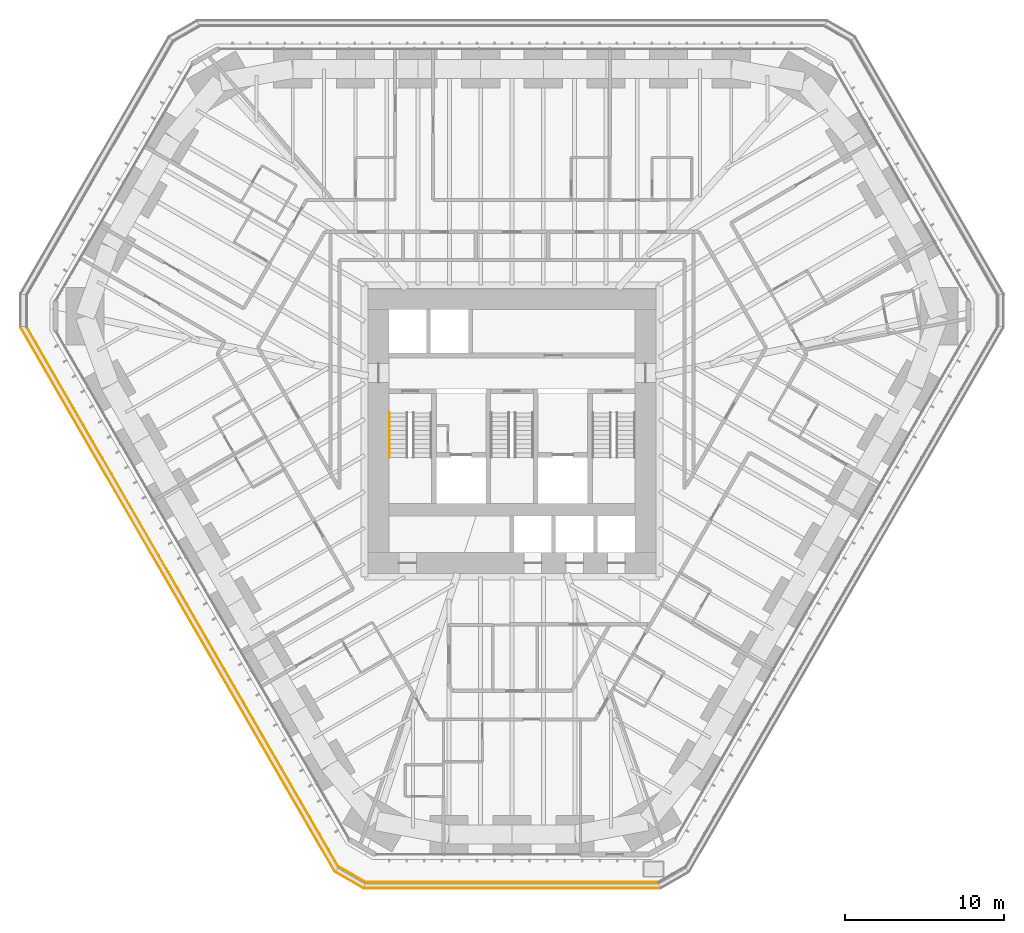
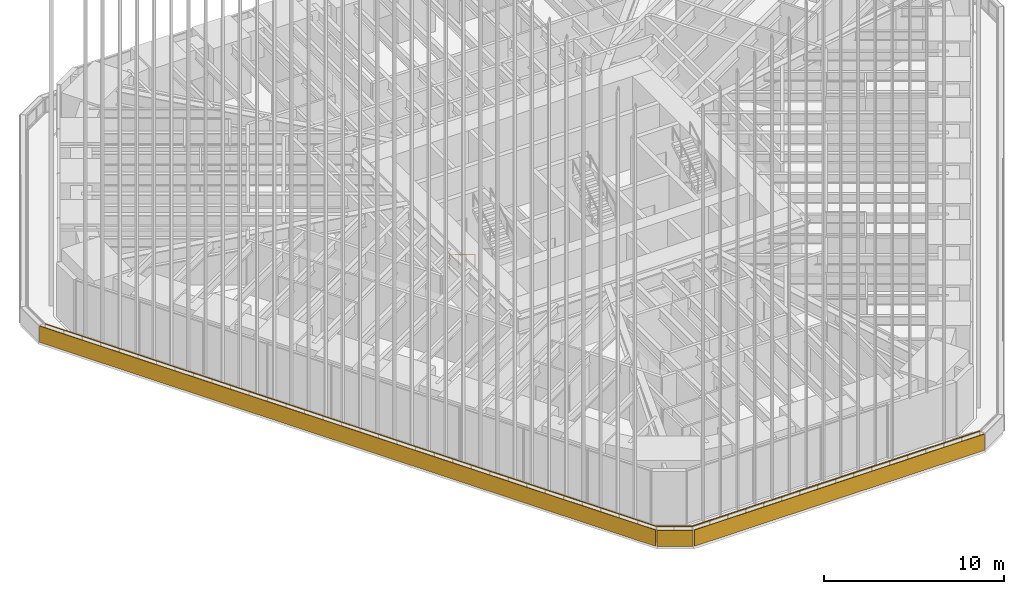
# One storey, part 236 of 238: 4 railings, 3 coverings.
"""IFC4 building model written with IfcOpenShell, lengths in metres."""

from ifc_helpers import new_model, si_unit, direction, frame, frame_2d, origin, origin_2d, place, context, subcontext, project, spatial, rectangle, circle, extrude, material, layer, layer_set, type_object, element, save


model = new_model("IFC4")

# Units and contexts
model_context = context("Model", 3, precision=1e-05, world=origin(), true_north=direction((0.0, 1.0)))
body_context = subcontext(model_context, "Body", "Model", "MODEL_VIEW")
ifc_project = project(units=[si_unit("LENGTHUNIT", "METRE"), si_unit("AREAUNIT", "SQUARE_METRE"), si_unit("VOLUMEUNIT", "CUBIC_METRE"), si_unit("PLANEANGLEUNIT", "RADIAN"), si_unit("MASSUNIT", "GRAM", prefix="KILO")], contexts=[model_context])

# Site, building, storey
site_placement = place(None, origin())
site = spatial("IfcSite", under=ifc_project, at=site_placement, CompositionType="ELEMENT")
building_placement = place(site_placement, origin())
building = spatial("IfcBuilding", under=site, at=building_placement, Name="Sandreach Pilgrim Tower", CompositionType="ELEMENT")
storey_placement = place(building_placement, frame((0.0, 0.0, 96.800048828125)))
storey = spatial("IfcBuildingStorey", under=building, at=storey_placement, Name="L23", CompositionType="ELEMENT", Elevation=96.800048828125)

# Railings
ifc_material_1 = material(Name="Galvanised steel guardrail", Category="steel")
railing_type_1 = type_object("IfcRailingType", Name="Setback roof guard", PredefinedType="GUARDRAIL", material=ifc_material_1)
railing_1_placement = place(storey_placement, frame((-30.52783203125, 4.99755859375, 0.0)))
element("IfcRailing", 1, at=railing_1_placement, inside=storey, type_object=railing_type_1, Name="Setback maintenance roof guard L23 4", PredefinedType="GUARDRAIL", context=body_context, shape_type="SweptSolid", body=[
    extrude(circle(Radius=0.02392578125, at=origin_2d()), frame((0.0, 0.0, 1.076171875), z_axis=(0.4999962585, -0.86602756393, 0.0), x_axis=(0.86602756393, 0.4999962585, 0.0)), (0.0, 0.0, 1.0), 39.183837890625),
    extrude(circle(Radius=0.02099609375, at=origin_2d()), origin(), (0.0, 0.0, 1.0), 1.052001953125),
    extrude(circle(Radius=0.02099609375, at=origin_2d()), frame((0.59375, -1.0283203125, 0.0)), (0.0, 0.0, 1.0), 1.052001953125),
    extrude(circle(Radius=0.02099609375, at=origin_2d()), frame((1.1875, -2.056640625, 0.0)), (0.0, 0.0, 1.0), 1.052001953125),
    extrude(circle(Radius=0.02099609375, at=origin_2d()), frame((1.781005859375, -3.0849609375, 0.0)), (0.0, 0.0, 1.0), 1.052001953125),
    extrude(circle(Radius=0.02099609375, at=origin_2d()), frame((2.374755859375, -4.11328125, 0.0)), (0.0, 0.0, 1.0), 1.052001953125),
    extrude(circle(Radius=0.02099609375, at=origin_2d()), frame((2.968505859375, -5.1416015625, 0.0)), (0.0, 0.0, 1.0), 1.052001953125),
    extrude(circle(Radius=0.02099609375, at=origin_2d()), frame((3.562255859375, -6.169921875, 0.0)), (0.0, 0.0, 1.0), 1.052001953125),
    extrude(circle(Radius=0.02099609375, at=origin_2d()), frame((4.15576171875, -7.1982421875, 0.0)), (0.0, 0.0, 1.0), 1.052001953125),
    extrude(circle(Radius=0.02099609375, at=origin_2d()), frame((4.74951171875, -8.2265625, 0.0)), (0.0, 0.0, 1.0), 1.052001953125),
    extrude(circle(Radius=0.02099609375, at=origin_2d()), frame((5.34326171875, -9.2548828125, 0.0)), (0.0, 0.0, 1.0), 1.052001953125),
    extrude(circle(Radius=0.02099609375, at=origin_2d()), frame((5.93701171875, -10.283203125, 0.0)), (0.0, 0.0, 1.0), 1.052001953125),
    extrude(circle(Radius=0.02099609375, at=origin_2d()), frame((6.530517578125, -11.3115234375, 0.0)), (0.0, 0.0, 1.0), 1.052001953125),
    extrude(circle(Radius=0.02099609375, at=origin_2d()), frame((7.124267578125, -12.33984375, 0.0)), (0.0, 0.0, 1.0), 1.052001953125),
    extrude(circle(Radius=0.02099609375, at=origin_2d()), frame((7.718017578125, -13.3681640625, 0.0)), (0.0, 0.0, 1.0), 1.052001953125),
    extrude(circle(Radius=0.02099609375, at=origin_2d()), frame((8.311767578125, -14.396484375, 0.0)), (0.0, 0.0, 1.0), 1.052001953125),
    extrude(circle(Radius=0.02099609375, at=origin_2d()), frame((8.9052734375, -15.4248046875, 0.0)), (0.0, 0.0, 1.0), 1.052001953125),
    extrude(circle(Radius=0.02099609375, at=origin_2d()), frame((9.4990234375, -16.453125, 0.0)), (0.0, 0.0, 1.0), 1.052001953125),
    extrude(circle(Radius=0.02099609375, at=origin_2d()), frame((10.0927734375, -17.481201171875, 0.0)), (0.0, 0.0, 1.0), 1.052001953125),
    extrude(circle(Radius=0.02099609375, at=origin_2d()), frame((10.6865234375, -18.509521484375, 0.0)), (0.0, 0.0, 1.0), 1.052001953125),
    extrude(circle(Radius=0.02099609375, at=origin_2d()), frame((11.280029296875, -19.537841796875, 0.0)), (0.0, 0.0, 1.0), 1.052001953125),
    extrude(circle(Radius=0.02099609375, at=origin_2d()), frame((11.873779296875, -20.566162109375, 0.0)), (0.0, 0.0, 1.0), 1.052001953125),
    extrude(circle(Radius=0.02099609375, at=origin_2d()), frame((12.467529296875, -21.594482421875, 0.0)), (0.0, 0.0, 1.0), 1.052001953125),
    extrude(circle(Radius=0.02099609375, at=origin_2d()), frame((13.061279296875, -22.622802734375, 0.0)), (0.0, 0.0, 1.0), 1.052001953125),
    extrude(circle(Radius=0.02099609375, at=origin_2d()), frame((13.65478515625, -23.651123046875, 0.0)), (0.0, 0.0, 1.0), 1.052001953125),
    extrude(circle(Radius=0.02099609375, at=origin_2d()), frame((14.24853515625, -24.679443359375, 0.0)), (0.0, 0.0, 1.0), 1.052001953125),
    extrude(circle(Radius=0.02099609375, at=origin_2d()), frame((14.84228515625, -25.707763671875, 0.0)), (0.0, 0.0, 1.0), 1.052001953125),
    extrude(circle(Radius=0.02099609375, at=origin_2d()), frame((15.43603515625, -26.736083984375, 0.0)), (0.0, 0.0, 1.0), 1.052001953125),
    extrude(circle(Radius=0.02099609375, at=origin_2d()), frame((16.029541015625, -27.764404296875, 0.0)), (0.0, 0.0, 1.0), 1.052001953125),
    extrude(circle(Radius=0.02099609375, at=origin_2d()), frame((16.623291015625, -28.792724609375, 0.0)), (0.0, 0.0, 1.0), 1.052001953125),
    extrude(circle(Radius=0.02099609375, at=origin_2d()), frame((17.217041015625, -29.821044921875, 0.0)), (0.0, 0.0, 1.0), 1.052001953125),
    extrude(circle(Radius=0.02099609375, at=origin_2d()), frame((17.810791015625, -30.849365234375, 0.0)), (0.0, 0.0, 1.0), 1.052001953125),
    extrude(circle(Radius=0.02099609375, at=origin_2d()), frame((18.404296875, -31.877685546875, 0.0)), (0.0, 0.0, 1.0), 1.052001953125),
    extrude(circle(Radius=0.02099609375, at=origin_2d()), frame((18.998046875, -32.906005859375, 0.0)), (0.0, 0.0, 1.0), 1.052001953125),
    extrude(circle(Radius=0.02099609375, at=origin_2d()), frame((19.591796875, -33.934326171875, 0.0)), (0.0, 0.0, 1.0), 1.052001953125),
])
railing_2_placement = place(storey_placement, frame((-10.93603515625, -28.936767578125, 0.0)))
element("IfcRailing", 2, at=railing_2_placement, inside=storey, type_object=railing_type_1, Name="Setback maintenance roof guard L23 5", PredefinedType="GUARDRAIL", context=body_context, shape_type="SweptSolid", body=[
    extrude(circle(Radius=0.02392578125, at=origin_2d()), frame((0.0, 0.0, 1.076171875), z_axis=(0.86480798778, -0.502102722828, 0.0), x_axis=(0.502102722828, 0.86480798778, 0.0)), (0.0, 0.0, 1.0), 1.9755859375),
    extrude(circle(Radius=0.02099609375, at=origin_2d()), origin(), (0.0, 0.0, 1.0), 1.052001953125),
    extrude(circle(Radius=0.02099609375, at=origin_2d()), frame((0.854248046875, -0.49609375, 0.0)), (0.0, 0.0, 1.0), 1.052001953125),
    extrude(circle(Radius=0.02099609375, at=origin_2d()), frame((1.70849609375, -0.991943359375, 0.0)), (0.0, 0.0, 1.0), 1.052001953125),
])
railing_3_placement = place(storey_placement, frame((-9.2275390625, -29.9287109375, 0.0)))
element("IfcRailing", 3, at=railing_3_placement, inside=storey, type_object=railing_type_1, Name="Setback maintenance roof guard L23 6", PredefinedType="GUARDRAIL", context=body_context, shape_type="SweptSolid", body=[
    extrude(circle(Radius=0.02392578125, at=origin_2d()), frame((0.0, 0.0, 1.076171875), z_axis=(1.0, 0.0, 0.0), x_axis=(0.0, 1.0, 0.0)), (0.0, 0.0, 1.0), 18.455078125),
    extrude(circle(Radius=0.02099609375, at=origin_2d()), origin(), (0.0, 0.0, 1.0), 1.052001953125),
    extrude(circle(Radius=0.02099609375, at=origin_2d()), frame((1.1533203125, 0.0, 0.0)), (0.0, 0.0, 1.0), 1.052001953125),
    extrude(circle(Radius=0.02099609375, at=origin_2d()), frame((2.306884765625, 0.0, 0.0)), (0.0, 0.0, 1.0), 1.052001953125),
    extrude(circle(Radius=0.02099609375, at=origin_2d()), frame((3.46044921875, 0.0, 0.0)), (0.0, 0.0, 1.0), 1.052001953125),
    extrude(circle(Radius=0.02099609375, at=origin_2d()), frame((4.61376953125, 0.0, 0.0)), (0.0, 0.0, 1.0), 1.052001953125),
    extrude(circle(Radius=0.02099609375, at=origin_2d()), frame((5.76708984375, 0.0, 0.0)), (0.0, 0.0, 1.0), 1.052001953125),
    extrude(circle(Radius=0.02099609375, at=origin_2d()), frame((6.920654296875, 0.0, 0.0)), (0.0, 0.0, 1.0), 1.052001953125),
    extrude(circle(Radius=0.02099609375, at=origin_2d()), frame((8.07421875, 0.0, 0.0)), (0.0, 0.0, 1.0), 1.052001953125),
    extrude(circle(Radius=0.02099609375, at=origin_2d()), frame((9.2275390625, 0.0, 0.0)), (0.0, 0.0, 1.0), 1.052001953125),
    extrude(circle(Radius=0.02099609375, at=origin_2d()), frame((10.380859375, 0.0, 0.0)), (0.0, 0.0, 1.0), 1.052001953125),
    extrude(circle(Radius=0.02099609375, at=origin_2d()), frame((11.534423828125, 0.0, 0.0)), (0.0, 0.0, 1.0), 1.052001953125),
    extrude(circle(Radius=0.02099609375, at=origin_2d()), frame((12.68798828125, 0.0, 0.0)), (0.0, 0.0, 1.0), 1.052001953125),
    extrude(circle(Radius=0.02099609375, at=origin_2d()), frame((13.84130859375, 0.0, 0.0)), (0.0, 0.0, 1.0), 1.052001953125),
    extrude(circle(Radius=0.02099609375, at=origin_2d()), frame((14.99462890625, 0.0, 0.0)), (0.0, 0.0, 1.0), 1.052001953125),
    extrude(circle(Radius=0.02099609375, at=origin_2d()), frame((16.148193359375, 0.0, 0.0)), (0.0, 0.0, 1.0), 1.052001953125),
    extrude(circle(Radius=0.02099609375, at=origin_2d()), frame((17.3017578125, 0.0, 0.0)), (0.0, 0.0, 1.0), 1.052001953125),
    extrude(circle(Radius=0.02099609375, at=origin_2d()), frame((18.455078125, 0.0, 0.0)), (0.0, 0.0, 1.0), 1.052001953125),
])
ifc_material_2 = material(Name="Stainless steel tube", Category="steel")
railing_type_2 = type_object("IfcRailingType", Name="Stair handrail", PredefinedType="HANDRAIL", material=ifc_material_2)
railing_4_placement = place(storey_placement, frame((-7.699951171875, -0.39990234375, 0.172607421875)))
element("IfcRailing", 4, at=railing_4_placement, inside=storey, type_object=railing_type_2, Name="Handrail ST1 L23 flight 1", PredefinedType="HANDRAIL", context=body_context, shape_type="SweptSolid", body=[
    extrude(circle(Radius=0.02392578125, at=origin_2d()), frame((0.0, 0.0, 0.8759765625), z_axis=(0.0, -0.851089632645, 0.525020415988), x_axis=(1.0, 0.0, 0.0)), (0.0, 0.0, 1.0), 3.2900390625),
    extrude(circle(Radius=0.02099609375, at=origin_2d()), origin(), (0.0, 0.0, 1.0), 0.851806640625),
    extrude(circle(Radius=0.02099609375, at=origin_2d()), frame((0.0, -0.933349609375, 0.57568359375)), (0.0, 0.0, 1.0), 0.851806640625),
    extrude(circle(Radius=0.02099609375, at=origin_2d()), frame((0.0, -1.86669921875, 1.151611328125)), (0.0, 0.0, 1.0), 0.851806640625),
    extrude(circle(Radius=0.02099609375, at=origin_2d()), frame((0.0, -2.800048828125, 1.727294921875)), (0.0, 0.0, 1.0), 0.851806640625),
])

# Coverings
ifc_material_3 = material(Name="Terracotta rainscreen panels on aluminium rails", Category="masonry")
ifc_layer = layer(ifc_material_3, 0.050048828125)
ifc_layer_set = layer_set([ifc_layer], Name="Terracotta rainscreen cladding 50")
covering_type = type_object("IfcCoveringType", Name="Terracotta rainscreen cladding 50", PredefinedType="CLADDING", material=ifc_layer_set)
covering_1_placement = place(storey_placement, frame((-30.904541015625, 4.962890625, 0.0), z_axis=(0.0, 0.0, 1.0), x_axis=(0.499999235055, -0.866025845425, 0.0)))
element("IfcCovering", 5, at=covering_1_placement, inside=storey, type_object=covering_type, Name="Rainscreen cladding on setback parapet l23 4", PredefinedType="CLADDING", context=body_context, shape_type="SweptSolid", body=[
    extrude(rectangle(XDim=39.50048828125, YDim=0.050048828125, at=frame_2d((19.750244140625, 0.0))), origin(), (0.0, 0.0, 1.0), 1.099853515625),
])
covering_2_placement = place(storey_placement, frame((-11.099365234375, -29.30029296875, 0.0), z_axis=(0.0, 0.0, 1.0), x_axis=(0.865543806172, -0.500833225334, 0.0)))
element("IfcCovering", 6, at=covering_2_placement, inside=storey, type_object=covering_type, Name="Rainscreen cladding on setback parapet l23 5", PredefinedType="CLADDING", context=body_context, shape_type="SweptSolid", body=[
    extrude(rectangle(XDim=1.99072265625, YDim=0.050048828125, at=frame_2d((0.995361328125, 0.0))), origin(), (0.0, 0.0, 1.0), 1.099853515625),
])
covering_3_placement = place(storey_placement, frame((-9.301025390625, -30.317626953125, 0.0), z_axis=(0.0, 0.0, 1.0), x_axis=(1.0, 0.0, 0.0)))
element("IfcCovering", 7, at=covering_3_placement, inside=storey, type_object=covering_type, Name="Rainscreen cladding on setback parapet l23 6", PredefinedType="CLADDING", context=body_context, shape_type="SweptSolid", body=[
    extrude(rectangle(XDim=18.60205078125, YDim=0.050048828125, at=frame_2d((9.301025390625, 0.0))), origin(), (0.0, 0.0, 1.0), 1.099853515625),
])

save(model, "model.ifc")
